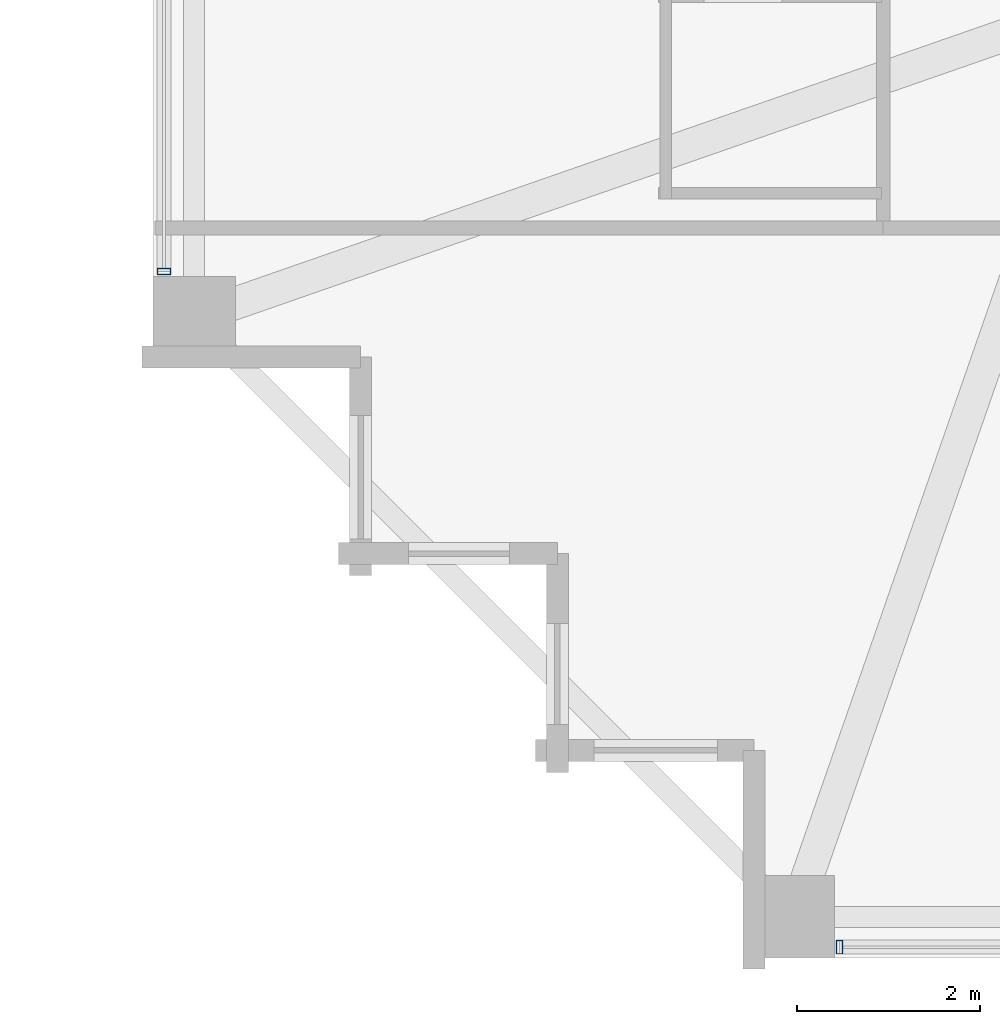
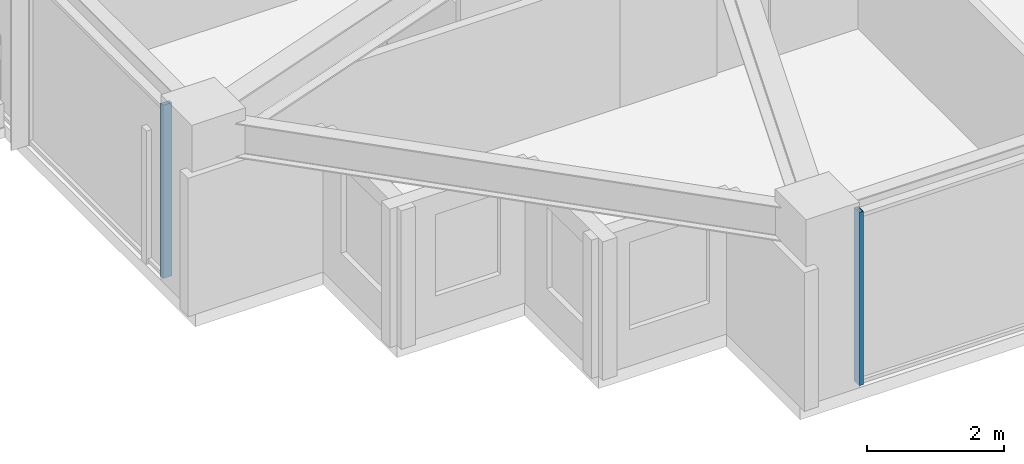
# One storey, part 2 of 34: 2 members, 2 elements without a shape of their own.
"""IFC4 building model written with IfcOpenShell, lengths in metres."""

from ifc_helpers import new_model, si_unit, direction, frame, origin, origin_2d, place, context, subcontext, project, spatial, hollow_rectangle, extrude, material, material_profile, profile_set, type_object, element, aggregate, save


model = new_model("IFC4")

# Units and contexts
model_context = context("Model", 3, precision=1e-05, world=origin(), true_north=direction((0.0, 1.0)))
body_context = subcontext(model_context, "Body", "Model", "MODEL_VIEW")
ifc_project = project(units=[si_unit("LENGTHUNIT", "METRE"), si_unit("AREAUNIT", "SQUARE_METRE"), si_unit("VOLUMEUNIT", "CUBIC_METRE"), si_unit("PLANEANGLEUNIT", "RADIAN"), si_unit("MASSUNIT", "GRAM", prefix="KILO")], contexts=[model_context])

# Site, building, storey
site_placement = place(None, origin())
site = spatial("IfcSite", under=ifc_project, at=site_placement, CompositionType="ELEMENT")
building_placement = place(site_placement, origin())
building = spatial("IfcBuilding", under=site, at=building_placement, Name="Kolvaren Belvedere", CompositionType="ELEMENT")
storey_placement = place(building_placement, frame((0.0, 0.0, 189.89990234375)))
storey = spatial("IfcBuildingStorey", under=building, at=storey_placement, Name="L55", CompositionType="ELEMENT", Elevation=189.89990234375)

# Curtain wall, member
ifc_material_1 = material(Name="Anodised pale-metal aluminium AA 6063-T6", Category="aluminium")
curtain_wall_type = type_object("IfcCurtainWallType", Name="CW-Z5-HIGH", PredefinedType="NOTDEFINED", material=ifc_material_1)
curtain_wall_1_placement = place(storey_placement, origin())
curtain_wall_1 = element("IfcCurtainWall", 1, at=curtain_wall_1_placement, inside=storey, type_object=curtain_wall_type, Name="L55 Unitised Curtain Wall FCW-L55-S-B3", PredefinedType="NOTDEFINED")
ifc_material_2 = material(Name="Anodised pale-metal aluminium AA 6063-T6", Category="aluminium")
ifc_material_profile = material_profile(ifc_material_2, hollow_rectangle(XDim=0.070068359375, YDim=0.14990234375, WallThickness=0.004150390625, at=origin_2d()), Name="ALU-MUL-150X70")
ifc_profile_set = profile_set([ifc_material_profile], Name="Anodised pale-metal aluminium AA 6063-T6")
member_type = type_object("IfcMemberType", Name="CW-MUL-150", PredefinedType="MULLION", material=ifc_profile_set)
member_1_placement = place(storey_placement, frame((-12.89501953125, -20.280029296875, 0.0), z_axis=(0.0, 0.0, 1.0), x_axis=(1.0, 0.0, 0.0)))
member_1 = element("IfcMember", 2, at=member_1_placement, type_object=member_type, Name="FCW-L55-S-B3 Unitised Mullion 3", PredefinedType="MULLION", context=body_context, shape_type="SweptSolid", body=[
    extrude(hollow_rectangle(XDim=0.070068359375, YDim=0.14990234375, WallThickness=0.004150390625, at=origin_2d()), origin(), (0.0, 0.0, 1.0), 3.080078125),
])
aggregate(curtain_wall_1, [member_1])

curtain_wall_2_placement = place(storey_placement, origin())
curtain_wall_2 = element("IfcCurtainWall", 3, at=curtain_wall_2_placement, inside=storey, type_object=curtain_wall_type, Name="L55 Unitised Curtain Wall FCW-L55-W1-B1", PredefinedType="NOTDEFINED")
member_2_placement = place(storey_placement, frame((-20.280029296875, -12.89501953125, 0.0), z_axis=(0.0, 0.0, 1.0), x_axis=(0.0, 1.0, 0.0)))
member_2 = element("IfcMember", 4, at=member_2_placement, type_object=member_type, Name="FCW-L55-W1-B1 Unitised Mullion 1", PredefinedType="MULLION", context=body_context, shape_type="SweptSolid", body=[
    extrude(hollow_rectangle(XDim=0.070068359375, YDim=0.14990234375, WallThickness=0.004150390625, at=origin_2d()), origin(), (0.0, 0.0, 1.0), 3.080078125),
])
aggregate(curtain_wall_2, [member_2])

save(model, "model.ifc")
